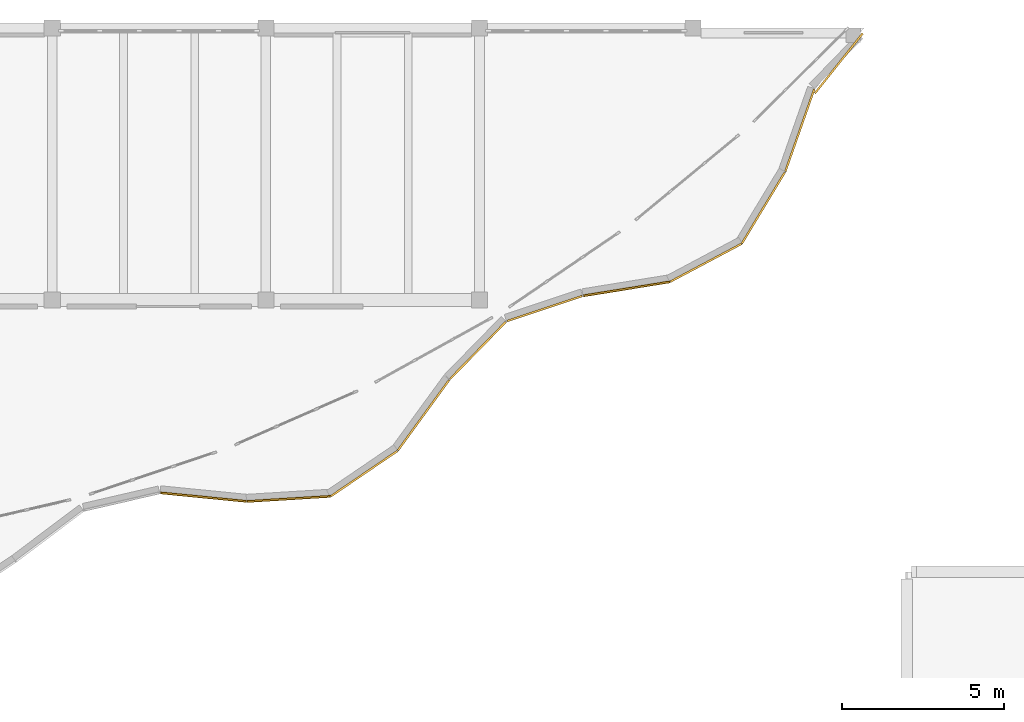
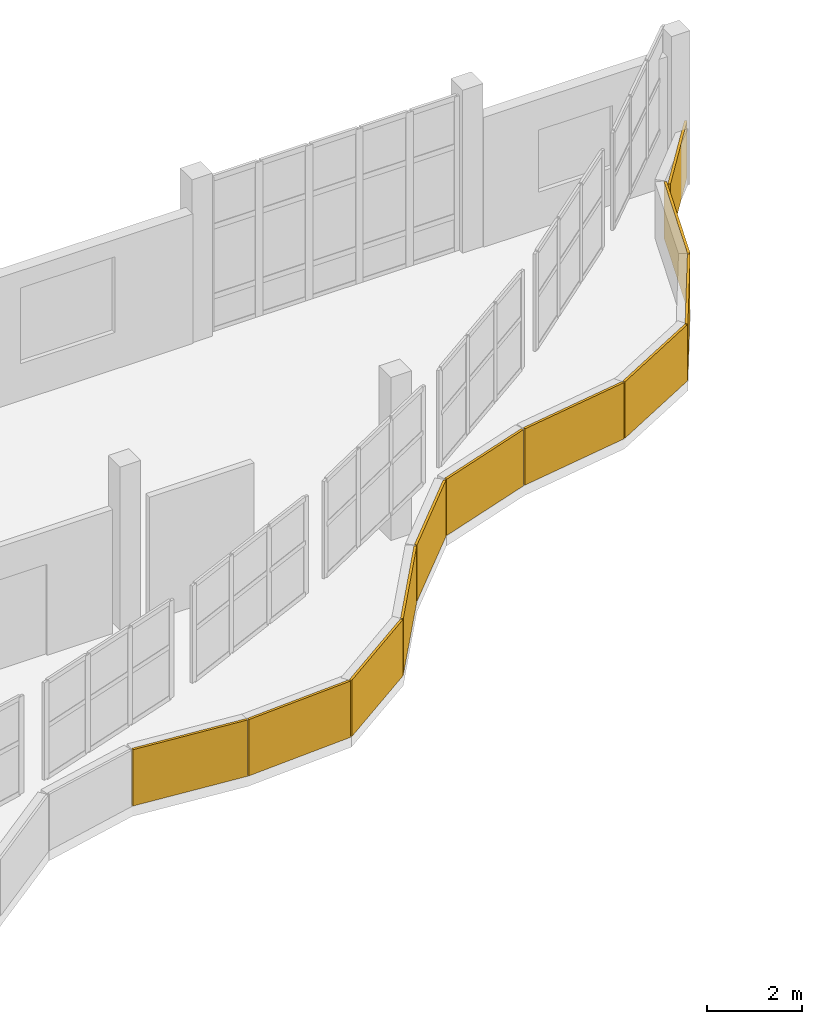
# One storey, part 47 of 47: 11 coverings.
"""IFC4 building model written with IfcOpenShell, lengths in metres."""

from ifc_helpers import new_model, si_unit, direction, frame, origin, origin_2d, place, context, subcontext, project, spatial, rectangle, extrude, material, layer, layer_set, type_object, element, save


model = new_model("IFC4")

# Units and contexts
model_context = context("Model", 3, precision=1e-05, world=origin(), true_north=direction((0.0, 1.0)))
body_context = subcontext(model_context, "Body", "Model", "MODEL_VIEW")
ifc_project = project(units=[si_unit("LENGTHUNIT", "METRE"), si_unit("AREAUNIT", "SQUARE_METRE"), si_unit("VOLUMEUNIT", "CUBIC_METRE"), si_unit("PLANEANGLEUNIT", "RADIAN"), si_unit("MASSUNIT", "GRAM", prefix="KILO")], contexts=[model_context])

# Site, building, storey
site_placement = place(None, origin())
site = spatial("IfcSite", under=ifc_project, at=site_placement, CompositionType="ELEMENT")
building_placement = place(site_placement, origin())
building = spatial("IfcBuilding", under=site, at=building_placement, Name="Qaldarim Faculty of Natural and Applied Sciences", CompositionType="ELEMENT")
storey_placement = place(building_placement, frame((0.0, 0.0, 22.800048828125)))
storey = spatial("IfcBuildingStorey", under=building, at=storey_placement, Name="L05", CompositionType="ELEMENT", Elevation=22.800048828125)

# Coverings
ifc_material = material(Name="White architectural precast concrete C40/50", Category="concrete")
ifc_layer = layer(ifc_material, 0.06005859375)
ifc_layer_set = layer_set([ifc_layer], Name="White architectural precast concrete C40/50")
covering_type = type_object("IfcCoveringType", Name="LimestoneSpandrelCladding-60", PredefinedType="CLADDING", material=ifc_layer_set)
covering_1_placement = place(storey_placement, frame((130.070068359375, 103.110107421875, 0.0), z_axis=(0.0, 0.0, 1.0), x_axis=(0.995147017431, -0.098399256598, 0.0)))
element("IfcCovering", 1, at=covering_1_placement, inside=storey, type_object=covering_type, Name="White limestone wave band fascia L05 chord 43", PredefinedType="CLADDING", context=body_context, shape_type="SweptSolid", body=[
    extrude(rectangle(XDim=2.655029296875, YDim=0.06005859375, at=origin_2d()), origin(), (0.0, 0.0, 1.0), 1.449951171875),
])
covering_2_placement = place(storey_placement, frame((132.705078125, 103.054931640625, 0.0), z_axis=(0.0, 0.0, 1.0), x_axis=(0.998126264708, 0.061187904848, 0.0)))
element("IfcCovering", 2, at=covering_2_placement, inside=storey, type_object=covering_type, Name="White limestone wave band fascia L05 chord 44", PredefinedType="CLADDING", context=body_context, shape_type="SweptSolid", body=[
    extrude(rectangle(XDim=2.574951171875, YDim=0.06005859375, at=origin_2d()), origin(), (0.0, 0.0, 1.0), 1.449951171875),
])
covering_3_placement = place(storey_placement, frame((135.034912109375, 103.8349609375, 0.0), z_axis=(0.0, 0.0, 1.0), x_axis=(0.8268156069, 0.562473067966, 0.0)))
element("IfcCovering", 3, at=covering_3_placement, inside=storey, type_object=covering_type, Name="White limestone wave band fascia L05 chord 45", PredefinedType="CLADDING", context=body_context, shape_type="SweptSolid", body=[
    extrude(rectangle(XDim=2.47509765625, YDim=0.06005859375, at=origin_2d()), origin(), (0.0, 0.0, 1.0), 1.449951171875),
])
covering_4_placement = place(storey_placement, frame((136.8701171875, 105.639892578125, 0.0), z_axis=(0.0, 0.0, 1.0), x_axis=(0.588505139866, 0.808493475763, 0.0)))
element("IfcCovering", 4, at=covering_4_placement, inside=storey, type_object=covering_type, Name="White limestone wave band fascia L05 chord 46", PredefinedType="CLADDING", context=body_context, shape_type="SweptSolid", body=[
    extrude(rectangle(XDim=2.68505859375, YDim=0.06005859375, at=origin_2d()), origin(), (0.0, 0.0, 1.0), 1.449951171875),
])
covering_5_placement = place(storey_placement, frame((138.550048828125, 107.639892578125, 0.0), z_axis=(0.0, 0.0, 1.0), x_axis=(0.699052059593, 0.7150707783, 0.0)))
element("IfcCovering", 5, at=covering_5_placement, inside=storey, type_object=covering_type, Name="White limestone wave band fascia L05 chord 47", PredefinedType="CLADDING", context=body_context, shape_type="SweptSolid", body=[
    extrude(rectangle(XDim=2.455078125, YDim=0.06005859375, at=origin_2d()), origin(), (0.0, 0.0, 1.0), 1.449951171875),
])
covering_6_placement = place(storey_placement, frame((140.610107421875, 108.93505859375, 0.0), z_axis=(0.0, 0.0, 1.0), x_axis=(0.948683015593, 0.316228613389, 0.0)))
element("IfcCovering", 6, at=covering_6_placement, inside=storey, type_object=covering_type, Name="White limestone wave band fascia L05 chord 48", PredefinedType="CLADDING", context=body_context, shape_type="SweptSolid", body=[
    extrude(rectangle(XDim=2.43994140625, YDim=0.06005859375, at=origin_2d()), origin(), (0.0, 0.0, 1.0), 1.449951171875),
])
covering_7_placement = place(storey_placement, frame((143.14501953125, 109.544921875, 0.0), z_axis=(0.0, 0.0, 1.0), x_axis=(0.98722262463, 0.159347072199, 0.0)))
element("IfcCovering", 7, at=covering_7_placement, inside=storey, type_object=covering_type, Name="White limestone wave band fascia L05 chord 49", PredefinedType="CLADDING", context=body_context, shape_type="SweptSolid", body=[
    extrude(rectangle(XDim=2.68994140625, YDim=0.06005859375, at=origin_2d()), origin(), (0.0, 0.0, 1.0), 1.449951171875),
])
covering_8_placement = place(storey_placement, frame((145.594970703125, 110.35009765625, 0.0), z_axis=(0.0, 0.0, 1.0), x_axis=(0.883062280043, 0.469255803976, 0.0)))
element("IfcCovering", 8, at=covering_8_placement, inside=storey, type_object=covering_type, Name="White limestone wave band fascia L05 chord 50", PredefinedType="CLADDING", context=body_context, shape_type="SweptSolid", body=[
    extrude(rectangle(XDim=2.485107421875, YDim=0.06005859375, at=origin_2d()), origin(), (0.0, 0.0, 1.0), 1.449951171875),
])
covering_9_placement = place(storey_placement, frame((147.3701171875, 112.044921875, 0.0), z_axis=(0.0, 0.0, 1.0), x_axis=(0.516473548888, 0.856303143343, 0.0)))
element("IfcCovering", 9, at=covering_9_placement, inside=storey, type_object=covering_type, Name="White limestone wave band fascia L05 chord 51", PredefinedType="CLADDING", context=body_context, shape_type="SweptSolid", body=[
    extrude(rectangle(XDim=2.56494140625, YDim=0.06005859375, at=origin_2d()), origin(), (0.0, 0.0, 1.0), 1.449951171875),
])
covering_10_placement = place(storey_placement, frame((148.4951171875, 114.43994140625, 0.0), z_axis=(0.0, 0.0, 1.0), x_axis=(0.331568422082, 0.943431174744, 0.0)))
element("IfcCovering", 10, at=covering_10_placement, inside=storey, type_object=covering_type, Name="White limestone wave band fascia L05 chord 52", PredefinedType="CLADDING", context=body_context, shape_type="SweptSolid", body=[
    extrude(rectangle(XDim=2.68994140625, YDim=0.06005859375, at=origin_2d()), origin(), (0.0, 0.0, 1.0), 1.449951171875),
])
covering_11_placement = place(storey_placement, frame((149.699951171875, 116.510009765625, 0.0), z_axis=(0.0, 0.0, 1.0), x_axis=(0.62367497375, 0.781683776931, 0.0)))
element("IfcCovering", 11, at=covering_11_placement, inside=storey, type_object=covering_type, Name="White limestone wave band fascia L05 chord 53", PredefinedType="CLADDING", context=body_context, shape_type="SweptSolid", body=[
    extrude(rectangle(XDim=2.364990234375, YDim=0.06005859375, at=origin_2d()), origin(), (0.0, 0.0, 1.0), 1.449951171875),
])

save(model, "model.ifc")
